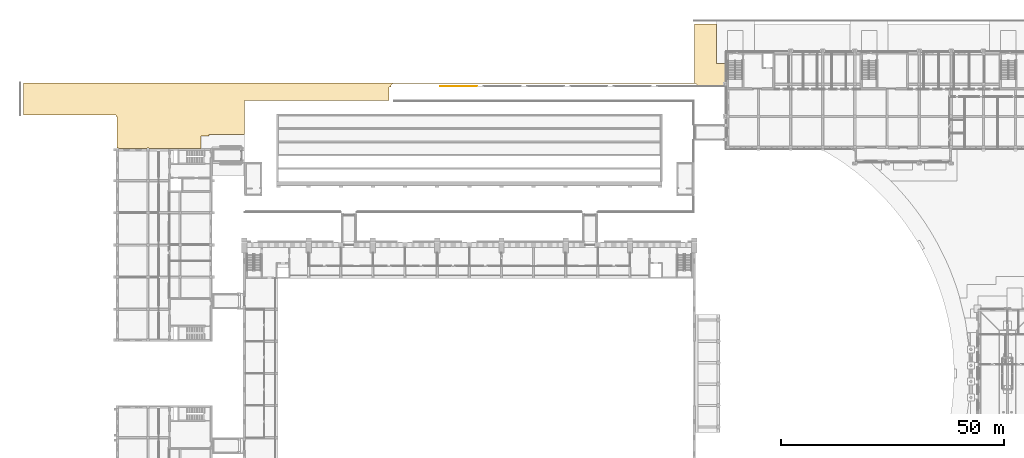
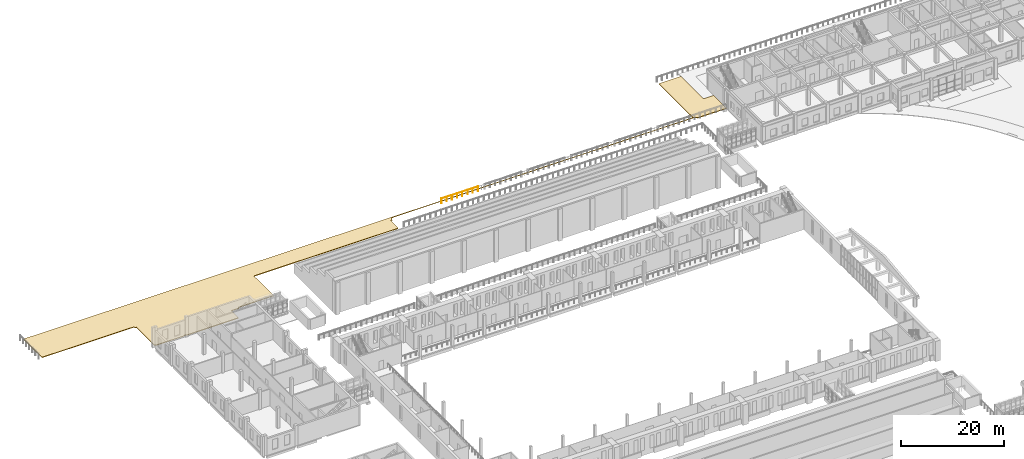
# One storey, part 128 of 131: 1 covering, 1 railing.
"""IFC4 building model written with IfcOpenShell, lengths in metres."""

from ifc_helpers import new_model, si_unit, direction, frame, origin, origin_2d, place, context, subcontext, project, spatial, polyline, circle, outline, extrude, material, layer, layer_set, type_object, element, save


model = new_model("IFC4")

# Units and contexts
model_context = context("Model", 3, precision=1e-05, world=origin(), true_north=direction((0.0, 1.0)))
body_context = subcontext(model_context, "Body", "Model", "MODEL_VIEW")
ifc_project = project(units=[si_unit("LENGTHUNIT", "METRE"), si_unit("AREAUNIT", "SQUARE_METRE"), si_unit("VOLUMEUNIT", "CUBIC_METRE"), si_unit("PLANEANGLEUNIT", "RADIAN"), si_unit("MASSUNIT", "GRAM", prefix="KILO")], contexts=[model_context])

# Site, building, storey
site_placement = place(None, origin())
site = spatial("IfcSite", under=ifc_project, at=site_placement, CompositionType="ELEMENT")
building_placement = place(site_placement, origin())
building = spatial("IfcBuilding", under=site, at=building_placement, Name="Alderwick Market Hall", CompositionType="ELEMENT")
storey_placement = place(building_placement, frame((0.0, 0.0, 4.800048828125)))
storey = spatial("IfcBuildingStorey", under=building, at=storey_placement, Name="L00", CompositionType="ELEMENT", Elevation=4.800048828125)

# Covering
ifc_material_1 = material(Name="Compacted gravel and turf on till")
ifc_layer = layer(ifc_material_1, 0.14990234375)
ifc_layer_set = layer_set([ifc_layer], Name="Compacted gravel and turf on till")
covering_type = type_object("IfcCoveringType", Name="S Ground Paving 150", PredefinedType="USERDEFINED", material=ifc_layer_set)
covering_placement = place(storey_placement, frame((0.0, 0.0, -0.150146484375)))
element("IfcCovering", 1, at=covering_placement, inside=storey, type_object=covering_type, Name="Ground 11", ObjectType="GROUND", PredefinedType="USERDEFINED", context=body_context, shape_type="SweptSolid", body=[
    extrude(outline(polyline([(158.39990234375, 143.699951171875), (158.39990234375, 148.699951171875), (156.14990234375, 148.699951171875), (156.14990234375, 157.489990234375), (151.2099609375, 157.489990234375), (151.2099609375, 144.300048828125), (151.2099609375, 144.299072265625), (151.209716796875, 144.298095703125), (151.209716796875, 144.297119140625), (151.209228515625, 144.296142578125), (151.208740234375, 144.29541015625), (151.208251953125, 144.29443359375), (151.207763671875, 144.293701171875), (151.20703125, 144.29296875), (151.206298828125, 144.292236328125), (151.20556640625, 144.291748046875), (151.20458984375, 144.291259765625), (151.203857421875, 144.290771484375), (151.202880859375, 144.290283203125), (151.201904296875, 144.290283203125), (151.200927734375, 144.2900390625), (151.199951171875, 144.2900390625), (0.909912109375, 144.2900390625), (0.909912109375, 137.110107421875), (21.60009765625, 137.110107421875), (21.60107421875, 137.110107421875), (21.60205078125, 137.10986328125), (21.602783203125, 137.109619140625), (21.603759765625, 137.109130859375), (21.604736328125, 137.10888671875), (21.605712890625, 137.1083984375), (21.606201171875, 137.107666015625), (21.607177734375, 137.107177734375), (21.607666015625, 137.106201171875), (21.6083984375, 137.105712890625), (21.60888671875, 137.104736328125), (21.609130859375, 137.103759765625), (21.609619140625, 137.102783203125), (21.60986328125, 137.10205078125), (21.610107421875, 137.10107421875), (21.610107421875, 137.10009765625), (21.610107421875, 136.81005859375), (21.89990234375, 136.81005859375), (21.90087890625, 136.81005859375), (21.902099609375, 136.809814453125), (21.90283203125, 136.8095703125), (21.90380859375, 136.80908203125), (21.90478515625, 136.808837890625), (21.905517578125, 136.808349609375), (21.90625, 136.8076171875), (21.906982421875, 136.80712890625), (21.90771484375, 136.806396484375), (21.908203125, 136.8056640625), (21.90869140625, 136.8046875), (21.9091796875, 136.8037109375), (21.90966796875, 136.802978515625), (21.909912109375, 136.802001953125), (21.909912109375, 136.801025390625), (21.909912109375, 136.800048828125), (21.909912109375, 129.748046875), (22.072265625, 129.7158203125), (22.21826171875, 129.6181640625), (22.23046875, 129.60009765625), (28.469482421875, 129.60009765625), (28.481689453125, 129.6181640625), (28.627685546875, 129.7158203125), (28.800048828125, 129.75), (28.97216796875, 129.7158203125), (29.1181640625, 129.6181640625), (29.13037109375, 129.60009765625), (34.5, 129.60009765625), (35.60009765625, 129.60009765625), (40.699951171875, 129.60009765625), (40.699951171875, 132.39990234375), (42.429931640625, 132.39990234375), (42.429931640625, 132.699951171875), (50.39990234375, 132.699951171875), (50.39990234375, 140.39990234375), (82.800048828125, 140.39990234375), (82.800048828125, 143.39990234375), (83.199951171875, 143.39990234375), (83.203857421875, 143.478515625), (83.21533203125, 143.55615234375), (83.234375, 143.632080078125), (83.260986328125, 143.7060546875), (83.29443359375, 143.777099609375), (83.334716796875, 143.844482421875), (83.381591796875, 143.907470703125), (83.434326171875, 143.9658203125), (83.492431640625, 144.018310546875), (83.555419921875, 144.065185546875), (83.622802734375, 144.10546875), (83.69384765625, 144.13916015625), (83.767822265625, 144.16552734375), (83.843994140625, 144.1845703125), (83.921630859375, 144.196044921875), (84.0, 144.199951171875), (151.199951171875, 144.199951171875), (151.2783203125, 144.196044921875), (151.356201171875, 144.1845703125), (151.43212890625, 144.16552734375), (151.506103515625, 144.13916015625), (151.5771484375, 144.10546875), (151.64453125, 144.065185546875), (151.70751953125, 144.018310546875), (151.765625, 143.9658203125), (151.818359375, 143.907470703125), (151.865234375, 143.844482421875), (151.905517578125, 143.777099609375), (151.939208984375, 143.7060546875), (151.94140625, 143.699951171875), (158.39990234375, 143.699951171875)])), origin(), (0.0, 0.0, 1.0), 0.150146484375),
])

# Railing
ifc_material_2 = material(Name="Steel ASTM A500 Grade C", Category="steel")
railing_type = type_object("IfcRailingType", Name="S Guard 1100", PredefinedType="GUARDRAIL", material=ifc_material_2)
railing_placement = place(storey_placement, frame((102.556884765625, 143.550048828125, 0.0)))
element("IfcRailing", 2, at=railing_placement, inside=storey, type_object=railing_type, Name="Guard N.12", PredefinedType="GUARDRAIL", context=body_context, shape_type="SweptSolid", body=[
    extrude(circle(Radius=0.02490234375, at=origin_2d()), frame((0.0, 0.0, 1.0751953125), z_axis=(-1.0, 0.0, 0.0), x_axis=(0.0, -1.0, 0.0)), (0.0, 0.0, 1.0), 8.227783203125),
    extrude(circle(Radius=0.02001953125, at=origin_2d()), origin(), (0.0, 0.0, 1.0), 1.050048828125),
    extrude(circle(Radius=0.02001953125, at=origin_2d()), frame((-1.17529296875, 0.0, 0.0)), (0.0, 0.0, 1.0), 1.050048828125),
    extrude(circle(Radius=0.02001953125, at=origin_2d()), frame((-2.350830078125, 0.0, 0.0)), (0.0, 0.0, 1.0), 1.050048828125),
    extrude(circle(Radius=0.02001953125, at=origin_2d()), frame((-3.526123046875, 0.0, 0.0)), (0.0, 0.0, 1.0), 1.050048828125),
    extrude(circle(Radius=0.02001953125, at=origin_2d()), frame((-4.70166015625, 0.0, 0.0)), (0.0, 0.0, 1.0), 1.050048828125),
    extrude(circle(Radius=0.02001953125, at=origin_2d()), frame((-5.876953125, 0.0, 0.0)), (0.0, 0.0, 1.0), 1.050048828125),
    extrude(circle(Radius=0.02001953125, at=origin_2d()), frame((-7.052490234375, 0.0, 0.0)), (0.0, 0.0, 1.0), 1.050048828125),
    extrude(circle(Radius=0.02001953125, at=origin_2d()), frame((-8.227783203125, 0.0, 0.0)), (0.0, 0.0, 1.0), 1.050048828125),
])

save(model, "model.ifc")
